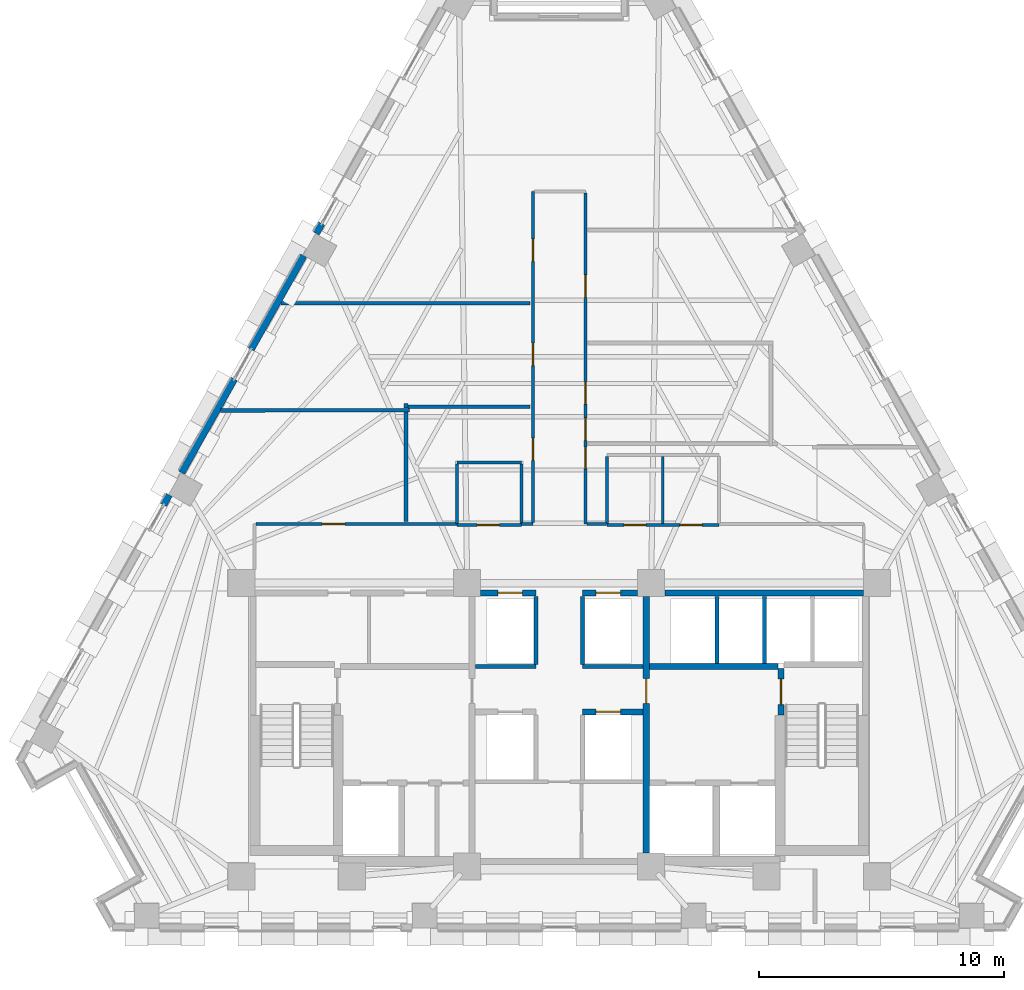
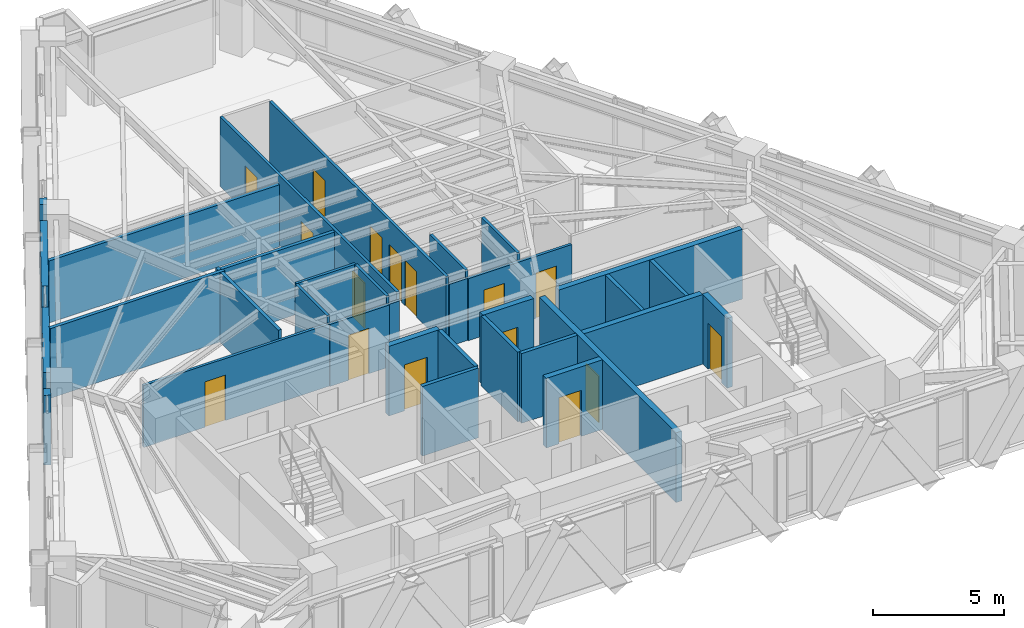
# One storey, part 8 of 13: 34 walls, 16 doors, 16 openings.
"""IFC4 building model written with IfcOpenShell, lengths in metres."""

import ifcopenshell
import ifcopenshell.guid

model = None  # the IFC model being written
_history = None  # IfcOwnerHistory: only IFC2X3 demands one
_inside = {}  # id of a spatial element -> (the spatial element, [elements in it])
_under = {}  # id of a project, library or spatial element -> (it, [spatial elements below it])
_declared = {}  # id of a project -> (the project, [libraries it declares])
_typed = {}  # id of a type object -> (the type object, [elements of that type])
_made_of = {}  # id of a material, layer set ... -> (it, [elements and type objects made of it])


def new_model(schema):
    """Start an empty IFC model of exactly this schema.

    Asked for "IFC4X3", IfcOpenShell would pick the latest addendum, in which some entities
    have other attributes; the version numbers below select the first issue.
    IFC2X3 requires an IfcOwnerHistory on every rooted entity: one is made here for all.
    """
    global model, _history
    if schema == "IFC4X3":
        model = ifcopenshell.file(schema_version=(4, 3, 0, 0))
    else:
        model = ifcopenshell.file(schema=schema)
    _inside.clear()
    _under.clear()
    _declared.clear()
    _typed.clear()
    _made_of.clear()
    _history = None
    if model.schema == "IFC2X3":
        org = make("IfcOrganization", Name="unknown")
        user = make(
            "IfcPersonAndOrganization",
            ThePerson=make("IfcPerson", FamilyName="unknown"),
            TheOrganization=org,
        )
        app = make(
            "IfcApplication",
            ApplicationDeveloper=org,
            Version="unknown",
            ApplicationFullName="unknown",
            ApplicationIdentifier="unknown",
        )
        _history = make(
            "IfcOwnerHistory",
            OwningUser=user,
            OwningApplication=app,
            ChangeAction="ADDED",
            CreationDate=0,
        )
    return model


def make(cls, **values):
    """One entity of the class cls with the attributes given. An attribute that is None is left unset."""
    return model.create_entity(
        cls, **{name: value for name, value in values.items() if value is not None}
    )


def rooted(cls, **values):
    """An entity with a GlobalId (a new one), such as an element, a storey or a relation."""
    return make(cls, GlobalId=ifcopenshell.guid.new(), OwnerHistory=_history, **values)


def si_unit(unit_type, name, prefix=None):
    """IfcSIUnit, for example si_unit("LENGTHUNIT", "METRE", prefix="MILLI")."""
    return make("IfcSIUnit", UnitType=unit_type, Prefix=prefix, Name=name)


def assignment(units):
    """IfcUnitAssignment: the units of a project."""
    return None if units is None else make("IfcUnitAssignment", Units=units)


def point(xyz):
    """IfcCartesianPoint."""
    return None if xyz is None else make("IfcCartesianPoint", Coordinates=xyz)


def direction(xyz):
    """IfcDirection."""
    return None if xyz is None else make("IfcDirection", DirectionRatios=xyz)


def frame(location, z_axis=None, x_axis=None):
    """IfcAxis2Placement3D, a coordinate frame: its origin and axes. An axis left out is left unset."""
    return make(
        "IfcAxis2Placement3D",
        Location=point(location),
        Axis=direction(z_axis),
        RefDirection=direction(x_axis),
    )


def frame_2d(location, x_axis=None):
    """IfcAxis2Placement2D, a coordinate frame in the plane: its origin and x axis."""
    return make(
        "IfcAxis2Placement2D", Location=point(location), RefDirection=direction(x_axis)
    )


def origin():
    """The frame at (0, 0, 0) with its axes left unset."""
    return frame((0.0, 0.0, 0.0))


def place(relative_to, where):
    """IfcLocalPlacement: puts the frame where relative to a parent placement (None: the world)."""
    return make(
        "IfcLocalPlacement", PlacementRelTo=relative_to, RelativePlacement=where
    )


def context(
    kind, dimensions, precision=None, world=None, true_north=None, identifier=None
):
    """IfcGeometricRepresentationContext, for example the 3D "Model" context."""
    return make(
        "IfcGeometricRepresentationContext",
        ContextIdentifier=identifier,
        ContextType=kind,
        CoordinateSpaceDimension=dimensions,
        Precision=precision,
        WorldCoordinateSystem=world,
        TrueNorth=true_north,
    )


def subcontext(parent, identifier, kind, view, scale=None):
    """IfcGeometricRepresentationSubContext, for example "Body" below "Model"."""
    return make(
        "IfcGeometricRepresentationSubContext",
        ContextIdentifier=identifier,
        ContextType=kind,
        ParentContext=parent,
        TargetScale=scale,
        TargetView=view,
    )


def project(units=None, contexts=None):
    """IfcProject with its units and contexts."""
    return rooted(
        "IfcProject",
        Name="project",
        RepresentationContexts=contexts,
        UnitsInContext=assignment(units),
    )


def spatial(cls, under=None, at=None, **own):
    """A site, building, storey or space (cls), placed at a placement, below another one or the project."""
    s = rooted(cls, ObjectPlacement=at, **own)
    if under is not None:
        _under.setdefault(under.id(), (under, []))[1].append(s)
    return s


def profile(cls, at=None, kind="AREA", **sizes):
    """A parametric profile (cls). Its sizes go by their IFC names, for example OverallWidth=200.0."""
    return make(cls, ProfileType=kind, Position=at, **sizes)


def rectangle(**sizes):
    """IfcRectangleProfileDef."""
    return profile("IfcRectangleProfileDef", **sizes)


def extrude(swept, where, along, depth):
    """IfcExtrudedAreaSolid: the profile swept, set in the frame where, extruded along a direction by depth."""
    return make(
        "IfcExtrudedAreaSolid",
        SweptArea=swept,
        Position=where,
        ExtrudedDirection=direction(along),
        Depth=depth,
    )


def shape(context_of_items, identifier, shape_type, items):
    """IfcShapeRepresentation: the items that make up one representation, for example the "Body"."""
    return make(
        "IfcShapeRepresentation",
        ContextOfItems=context_of_items,
        RepresentationIdentifier=identifier,
        RepresentationType=shape_type,
        Items=items,
    )


def material(Name=None, Category=None):
    """IfcMaterial."""
    return make("IfcMaterial", Name=Name, Category=Category)


def layer(
    of_material, thickness, ventilated=None, Name=None, Category=None, Priority=None
):
    """IfcMaterialLayer: one layer of a wall or slab, of a material (None: an air gap)."""
    return make(
        "IfcMaterialLayer",
        Material=of_material,
        LayerThickness=thickness,
        IsVentilated=ventilated,
        Name=Name,
        Category=Category,
        Priority=Priority,
    )


def layer_set(layers, Name=None):
    """IfcMaterialLayerSet."""
    return make("IfcMaterialLayerSet", MaterialLayers=layers, LayerSetName=Name)


def made_of(thing, what):
    """Note that an element or type object is made of a material, layer set ...; save() writes the relation."""
    if what is not None:
        _made_of.setdefault(what.id(), (what, []))[1].append(thing)
    return thing


def type_object(cls, material=None, **own):
    """A type object (cls), such as IfcWallType, which elements share."""
    return made_of(rooted(cls, **own), material)


def element(
    cls,
    number,
    at=None,
    inside=None,
    cuts=None,
    type_object=None,
    material=None,
    context=None,
    identifier="Body",
    shape_type=None,
    held_by="IfcProductDefinitionShape",
    body=None,
    shapes=None,
    **own,
):
    """One element of the class cls, such as IfcWall. Its Tag is "e" and its number.

    at: its placement. inside: the storey or other place that contains it. cuts: it is an
    opening in that element (IfcRelVoidsElement). A single representation is given by context,
    identifier, shape_type and body (its items); several are given by shapes. held_by: the class
    of the entity that holds the representations. save() writes the other relations.
    """
    e = rooted(cls, Tag="e%d" % number, ObjectPlacement=at, **own)
    if body is not None:
        shapes = [shape(context, identifier, shape_type, body)]
    if shapes is not None:
        e.Representation = make(held_by, Representations=shapes)
    if inside is not None:
        _inside.setdefault(inside.id(), (inside, []))[1].append(e)
    if cuts is not None:
        rooted(
            "IfcRelVoidsElement", RelatingBuildingElement=cuts, RelatedOpeningElement=e
        )
    if type_object is not None:
        _typed.setdefault(type_object.id(), (type_object, []))[1].append(e)
    return made_of(e, material)


def fill(opening, filler):
    """IfcRelFillsElement: the door or window that sits in an opening."""
    return rooted(
        "IfcRelFillsElement",
        RelatingOpeningElement=opening,
        RelatedBuildingElement=filler,
    )


def aggregate(whole, parts):
    """IfcRelAggregates: a whole, such as a stair, and the parts it consists of."""
    return rooted("IfcRelAggregates", RelatingObject=whole, RelatedObjects=parts)


def save(model, path):
    """Write the relations noted so far, then the file.

    IfcRelAggregates (storeys below a building ...), IfcRelContainedInSpatialStructure (elements
    in a storey), IfcRelDefinesByType, IfcRelAssociatesMaterial and IfcRelDeclares: one each for
    every whole, place, type object, material and project.
    """
    for whole, parts in _under.values():
        aggregate(whole, parts)
    for where, things in _inside.values():
        rooted(
            "IfcRelContainedInSpatialStructure",
            RelatedElements=things,
            RelatingStructure=where,
        )
    for kind, things in _typed.values():
        rooted("IfcRelDefinesByType", RelatedObjects=things, RelatingType=kind)
    for what, things in _made_of.values():
        rooted("IfcRelAssociatesMaterial", RelatedObjects=things, RelatingMaterial=what)
    for by, libraries in _declared.values():
        rooted("IfcRelDeclares", RelatingContext=by, RelatedDefinitions=libraries)
    model.write(path)


model = new_model("IFC4")

# Units and contexts
model_context = context("Model", 3, precision=1e-05, world=origin(), true_north=direction((0.0, 1.0)))
body_context = subcontext(model_context, "Body", "Model", "MODEL_VIEW")
ifc_project = project(units=[si_unit("LENGTHUNIT", "METRE"), si_unit("AREAUNIT", "SQUARE_METRE"), si_unit("VOLUMEUNIT", "CUBIC_METRE"), si_unit("PLANEANGLEUNIT", "RADIAN"), si_unit("MASSUNIT", "GRAM", prefix="KILO")], contexts=[model_context])

# Site, building, storey
site_placement = place(None, origin())
site = spatial("IfcSite", under=ifc_project, at=site_placement, CompositionType="ELEMENT")
building_placement = place(site_placement, origin())
building = spatial("IfcBuilding", under=site, at=building_placement, Name="Quenlor Broadcast Tower", CompositionType="ELEMENT")
storey_placement = place(building_placement, frame((0.0, 0.0, 137.0)))
storey = spatial("IfcBuildingStorey", under=building, at=storey_placement, Name="L37", CompositionType="ELEMENT", Elevation=137.0)

# Walls
ifc_material_1 = material(Name="Acoustic Double Stud Gypsum Partition", Category="other")
ifc_layer_1 = layer(ifc_material_1, 0.14990234375)
ifc_layer_set_1 = layer_set([ifc_layer_1], Name="Broadcast Studio Acoustic Partition 150")
wall_type_1 = type_object("IfcWallType", Name="Broadcast Studio Acoustic Partition 150", PredefinedType="PARTITIONING", material=ifc_layer_set_1)
wall_1_placement = place(storey_placement, frame((-1.179931640625, 6.605224609375, 0.0), z_axis=(0.0, 0.0, 1.0), x_axis=(-1.0, 0.0, 0.0)))
element("IfcWall", 1, at=wall_1_placement, inside=storey, type_object=wall_type_1, Name="L37 Interior Wall PW-DV-02", PredefinedType="PARTITIONING", context=body_context, shape_type="SweptSolid", body=[
    extrude(rectangle(XDim=10.1533203125, YDim=0.14990234375, at=frame_2d((5.07666015625, 0.0))), origin(), (0.0, 0.0, 1.0), 2.891357421875),
])
wall_2_placement = place(storey_placement, frame((-1.179931640625, 2.3798828125, 0.0), z_axis=(0.0, 0.0, 1.0), x_axis=(-1.0, 0.0, 0.0)))
element("IfcWall", 2, at=wall_2_placement, inside=storey, type_object=wall_type_1, Name="L37 Interior Wall PW-DV-06", PredefinedType="PARTITIONING", context=body_context, shape_type="SweptSolid", body=[
    extrude(rectangle(XDim=4.984619140625, YDim=0.14990234375, at=frame_2d((2.4921875, 0.0))), origin(), (0.0, 0.0, 1.0), 3.25),
])
wall_3_placement = place(storey_placement, frame((-6.10009765625, 2.24462890625, 0.0), z_axis=(0.0, 0.0, 1.0), x_axis=(-0.999998126996, -0.001935459776, 0.0)))
element("IfcWall", 3, at=wall_3_placement, inside=storey, type_object=wall_type_1, Name="L37 Interior Wall PW-DV-07", PredefinedType="PARTITIONING", context=body_context, shape_type="SweptSolid", body=[
    extrude(rectangle(XDim=7.694580078125, YDim=0.14990234375, at=frame_2d((3.84716796875, 0.0))), origin(), (0.0, 0.0, 1.0), 3.25),
])
wall_4_placement = place(storey_placement, frame((-6.239990234375, -2.2900390625, 0.0), z_axis=(0.0, 0.0, 1.0), x_axis=(0.0, 1.0, 0.0)))
element("IfcWall", 4, at=wall_4_placement, inside=storey, type_object=wall_type_1, Name="L37 Interior Wall PW-DV-09", PredefinedType="PARTITIONING", context=body_context, shape_type="SweptSolid", body=[
    extrude(rectangle(XDim=4.45751953125, YDim=0.14990234375, at=frame_2d((2.228759765625, 0.0))), origin(), (0.0, 0.0, 1.0), 3.25),
])
wall_5_placement = place(storey_placement, frame((-6.239990234375, 2.3212890625, 0.0), z_axis=(0.0, 0.0, 1.0), x_axis=(0.0, 1.0, 0.0)))
element("IfcWall", 5, at=wall_5_placement, inside=storey, type_object=wall_type_1, Name="L37 Interior Wall PW-DV-09S2", PredefinedType="PARTITIONING", context=body_context, shape_type="SweptSolid", body=[
    extrude(rectangle(XDim=0.19873046875, YDim=0.14990234375, at=frame_2d((0.099365234375, 0.0))), origin(), (0.0, 0.0, 1.0), 3.25),
])

# Wall, opening, door
ifc_material_2 = material(Name="Concrete C40/50", Category="concrete")
ifc_layer_2 = layer(ifc_material_2, 0.25)
ifc_layer_set_2 = layer_set([ifc_layer_2], Name="Fire Rated Concrete C40/50 Core Wall 250")
wall_type_2 = type_object("IfcWallType", Name="Fire Rated Concrete C40/50 Core Wall 250", PredefinedType="PARTITIONING", material=ifc_layer_set_2)
wall_6_placement = place(storey_placement, frame((9.0400390625, -10.179931640625, 0.0), z_axis=(0.0, 0.0, 1.0), x_axis=(0.0, 1.0, 0.0)))
wall_6 = element("IfcWall", 6, at=wall_6_placement, inside=storey, type_object=wall_type_2, Name="L37 Interior Wall CW-ST2-DR", PredefinedType="PARTITIONING", context=body_context, shape_type="SweptSolid", body=[
    extrude(rectangle(XDim=1.89990234375, YDim=0.25, at=frame_2d((0.949951171875, 0.0))), origin(), (0.0, 0.0, 1.0), 3.25),
])
opening_1_placement = place(wall_6_placement, frame((0.419921875, 0.0, 0.0)))
opening_1 = element("IfcOpeningElement", 7, at=opening_1_placement, cuts=wall_6, Name="Opening FD-1", PredefinedType="OPENING", context=body_context, shape_type="SweptSolid", body=[
    extrude(rectangle(XDim=1.050048828125, YDim=2.14990234375, at=frame_2d((0.52490234375, 1.074951171875))), frame((0.0, 0.135009765625, 0.0), z_axis=(0.0, -1.0, 0.0), x_axis=(1.0, 0.0, 0.0)), (0.0, 0.0, 1.0), 0.27001953125),
])
ifc_material_3 = material(Name="Fire Rated Steel Door Leaf", Category="steel")
door_type_1 = type_object("IfcDoorType", Name="Fire Isolated Stair Door 1050x2150", OperationType="NOTDEFINED", PredefinedType="DOOR", material=ifc_material_3)
door_1_placement = place(opening_1_placement, origin())
door_1 = element("IfcDoor", 8, at=door_1_placement, inside=storey, type_object=door_type_1, Name="L37 Door DR-ST2", OperationType="SINGLE_SWING_RIGHT", OverallHeight=2.14990234375, OverallWidth=1.050048828125, PredefinedType="DOOR", context=body_context, shape_type="SweptSolid", body=[
    extrude(rectangle(XDim=1.050048828125, YDim=2.14990234375, at=frame_2d((0.52490234375, 1.074951171875))), frame((0.0, 0.02490234375, 0.0), z_axis=(0.0, -1.0, 0.0), x_axis=(1.0, 0.0, 0.0)), (0.0, 0.0, 1.0), 0.050048828125),
])
fill(opening_1, door_1)

# Wall
wall_7_placement = place(storey_placement, frame((3.679931640625, -8.199951171875, 0.0), z_axis=(0.0, 0.0, 1.0), x_axis=(1.0, 0.0, 0.0)))
element("IfcWall", 9, at=wall_7_placement, inside=storey, type_object=wall_type_2, Name="L37 Interior Wall CW-FFE-N", PredefinedType="PARTITIONING", context=body_context, shape_type="SweptSolid", body=[
    extrude(rectangle(XDim=5.239990234375, YDim=0.25, at=frame_2d((2.6201171875, 0.0))), origin(), (0.0, 0.0, 1.0), 3.25),
])

# Wall, opening, door
wall_8_placement = place(storey_placement, frame((3.550048828125, -15.798095703125, 0.0), z_axis=(0.0, 0.0, 1.0), x_axis=(0.0, 1.0, 0.0)))
wall_8 = element("IfcWall", 10, at=wall_8_placement, inside=storey, type_object=wall_type_2, Name="L37 Interior Wall CW-FFE-W", PredefinedType="PARTITIONING", context=body_context, shape_type="SweptSolid", body=[
    extrude(rectangle(XDim=10.446044921875, YDim=0.25, at=frame_2d((5.22314453125, 0.0))), origin(), (0.0, 0.0, 1.0), 3.25),
])
opening_2_placement = place(wall_8_placement, frame((6.097900390625, 0.0, 0.0)))
opening_2 = element("IfcOpeningElement", 11, at=opening_2_placement, cuts=wall_8, Name="Opening FD-2", PredefinedType="OPENING", context=body_context, shape_type="SweptSolid", body=[
    extrude(rectangle(XDim=1.0, YDim=2.14990234375, at=frame_2d((0.5, 1.074951171875))), frame((0.0, 0.135009765625, 0.0), z_axis=(0.0, -1.0, 0.0), x_axis=(1.0, 0.0, 0.0)), (0.0, 0.0, 1.0), 0.27001953125),
])
ifc_material_4 = material(Name="Fire Rated Glazed Steel Door", Category="steel")
door_type_2 = type_object("IfcDoorType", Name="Firefighting Lobby Smoke Door 1000x2150", OperationType="NOTDEFINED", PredefinedType="DOOR", material=ifc_material_4)
door_2_placement = place(opening_2_placement, origin())
door_2 = element("IfcDoor", 12, at=door_2_placement, inside=storey, type_object=door_type_2, Name="L37 Door DR-FFLE", OperationType="SINGLE_SWING_LEFT", OverallHeight=2.14990234375, OverallWidth=1.0, PredefinedType="DOOR", context=body_context, shape_type="SweptSolid", body=[
    extrude(rectangle(XDim=1.0, YDim=2.14990234375, at=frame_2d((0.5, 1.074951171875))), frame((0.0, 0.02490234375, 0.0), z_axis=(0.0, -1.0, 0.0), x_axis=(1.0, 0.0, 0.0)), (0.0, 0.0, 1.0), 0.050048828125),
])
fill(opening_2, door_2)

# Wall
wall_9_placement = place(storey_placement, frame((4.302001953125, -5.199951171875, 0.0), z_axis=(0.0, 0.0, 1.0), x_axis=(1.0, 0.0, 0.0)))
element("IfcWall", 13, at=wall_9_placement, inside=storey, type_object=wall_type_2, Name="L37 Interior Wall CW-N-E", PredefinedType="PARTITIONING", context=body_context, shape_type="SweptSolid", body=[
    extrude(rectangle(XDim=8.095947265625, YDim=0.25, at=frame_2d((4.0478515625, 0.0))), origin(), (0.0, 0.0, 1.0), 3.25),
])

# Wall, opening, door
wall_10_placement = place(storey_placement, frame((-3.197998046875, -5.199951171875, 0.0), z_axis=(0.0, 0.0, 1.0), x_axis=(1.0, 0.0, 0.0)))
wall_10 = element("IfcWall", 14, at=wall_10_placement, inside=storey, type_object=wall_type_2, Name="L37 Interior Wall CW-N-M1", PredefinedType="PARTITIONING", context=body_context, shape_type="SweptSolid", body=[
    extrude(rectangle(XDim=2.248046875, YDim=0.25, at=frame_2d((1.1240234375, 0.0))), origin(), (0.0, 0.0, 1.0), 3.25),
])
opening_3_placement = place(wall_10_placement, frame((0.697998046875, 0.0, 0.0)))
opening_3 = element("IfcOpeningElement", 15, at=opening_3_placement, cuts=wall_10, Name="Opening LD-PL-M1", PredefinedType="OPENING", context=body_context, shape_type="SweptSolid", body=[
    extrude(rectangle(XDim=1.0, YDim=2.14990234375, at=frame_2d((0.5, 1.074951171875))), frame((0.0, 0.135009765625, 0.0), z_axis=(0.0, -1.0, 0.0), x_axis=(1.0, 0.0, 0.0)), (0.0, 0.0, 1.0), 0.27001953125),
])
ifc_material_5 = material(Name="Brushed Stainless Steel", Category="steel")
door_type_3 = type_object("IfcDoorType", Name="Passenger Lift Sliding Landing Door 1000x2150", OperationType="NOTDEFINED", PredefinedType="DOOR", material=ifc_material_5)
door_3_placement = place(opening_3_placement, origin())
door_3 = element("IfcDoor", 16, at=door_3_placement, inside=storey, type_object=door_type_3, Name="L37 Door LD-PL-M1", OperationType="SLIDING_TO_LEFT", OverallHeight=2.14990234375, OverallWidth=1.0, PredefinedType="DOOR", context=body_context, shape_type="SweptSolid", body=[
    extrude(rectangle(XDim=1.0, YDim=2.14990234375, at=frame_2d((0.5, 1.074951171875))), frame((0.0, 0.02490234375, 0.0), z_axis=(0.0, -1.0, 0.0), x_axis=(1.0, 0.0, 0.0)), (0.0, 0.0, 1.0), 0.050048828125),
])
fill(opening_3, door_3)

wall_11_placement = place(storey_placement, frame((0.949951171875, -5.199951171875, 0.0), z_axis=(0.0, 0.0, 1.0), x_axis=(1.0, 0.0, 0.0)))
wall_11 = element("IfcWall", 17, at=wall_11_placement, inside=storey, type_object=wall_type_2, Name="L37 Interior Wall CW-N-M2", PredefinedType="PARTITIONING", context=body_context, shape_type="SweptSolid", body=[
    extrude(rectangle(XDim=2.248046875, YDim=0.25, at=frame_2d((1.1240234375, 0.0))), origin(), (0.0, 0.0, 1.0), 3.25),
])
opening_4_placement = place(wall_11_placement, frame((0.550048828125, 0.0, 0.0)))
opening_4 = element("IfcOpeningElement", 18, at=opening_4_placement, cuts=wall_11, Name="Opening LD-PL-M2", PredefinedType="OPENING", context=body_context, shape_type="SweptSolid", body=[
    extrude(rectangle(XDim=1.0, YDim=2.14990234375, at=frame_2d((0.5, 1.074951171875))), frame((0.0, 0.135009765625, 0.0), z_axis=(0.0, -1.0, 0.0), x_axis=(1.0, 0.0, 0.0)), (0.0, 0.0, 1.0), 0.27001953125),
])
door_4_placement = place(opening_4_placement, origin())
door_4 = element("IfcDoor", 19, at=door_4_placement, inside=storey, type_object=door_type_3, Name="L37 Door LD-PL-M2", OperationType="SLIDING_TO_RIGHT", OverallHeight=2.14990234375, OverallWidth=1.0, PredefinedType="DOOR", context=body_context, shape_type="SweptSolid", body=[
    extrude(rectangle(XDim=1.0, YDim=2.14990234375, at=frame_2d((0.5, 1.074951171875))), frame((0.0, 0.02490234375, 0.0), z_axis=(0.0, -1.0, 0.0), x_axis=(1.0, 0.0, 0.0)), (0.0, 0.0, 1.0), 0.050048828125),
])
fill(opening_4, door_4)

wall_12_placement = place(storey_placement, frame((0.949951171875, -10.050048828125, 0.0), z_axis=(0.0, 0.0, 1.0), x_axis=(1.0, 0.0, 0.0)))
wall_12 = element("IfcWall", 20, at=wall_12_placement, inside=storey, type_object=wall_type_2, Name="L37 Interior Wall CW-MS-N2", PredefinedType="PARTITIONING", context=body_context, shape_type="SweptSolid", body=[
    extrude(rectangle(XDim=2.469970703125, YDim=0.25, at=frame_2d((1.23486328125, 0.0))), origin(), (0.0, 0.0, 1.0), 3.25),
])
opening_5_placement = place(wall_12_placement, frame((0.550048828125, 0.0, 0.0)))
opening_5 = element("IfcOpeningElement", 21, at=opening_5_placement, cuts=wall_12, Name="Opening LD-PL-M4", PredefinedType="OPENING", context=body_context, shape_type="SweptSolid", body=[
    extrude(rectangle(XDim=1.0, YDim=2.14990234375, at=frame_2d((0.5, 1.074951171875))), frame((0.0, 0.135009765625, 0.0), z_axis=(0.0, -1.0, 0.0), x_axis=(1.0, 0.0, 0.0)), (0.0, 0.0, 1.0), 0.27001953125),
])
door_5_placement = place(opening_5_placement, origin())
door_5 = element("IfcDoor", 22, at=door_5_placement, inside=storey, type_object=door_type_3, Name="L37 Door LD-PL-M4", OperationType="SLIDING_TO_RIGHT", OverallHeight=2.14990234375, OverallWidth=1.0, PredefinedType="DOOR", context=body_context, shape_type="SweptSolid", body=[
    extrude(rectangle(XDim=1.0, YDim=2.14990234375, at=frame_2d((0.5, 1.074951171875))), frame((0.0, 0.02490234375, 0.0), z_axis=(0.0, -1.0, 0.0), x_axis=(1.0, 0.0, 0.0)), (0.0, 0.0, 1.0), 0.050048828125),
])
fill(opening_5, door_5)

# Walls
ifc_material_6 = material(Name="Gypsum Fireboard Partition", Category="other")
ifc_layer_3 = layer(ifc_material_6, 0.159912109375)
ifc_layer_set_3 = layer_set([ifc_layer_3], Name="Fire Rated Shaft and Corridor Partition 160")
wall_type_3 = type_object("IfcWallType", Name="Fire Rated Shaft and Corridor Partition 160", PredefinedType="PARTITIONING", material=ifc_layer_set_3)
for number, where, z_axis, x_axis, name in (
    (23, (6.425048828125, -8.072998046875, 0.0), (0.0, 0.0, 1.0), (0.0, 1.0, 0.0), "L37 Interior Wall CW-PLH-D1"),
    (24, (8.375, -8.072998046875, 0.0), (0.0, 0.0, 1.0), (0.0, 1.0, 0.0), "L37 Interior Wall CW-PLH-D2"),
):
    element("IfcWall", number, at=place(storey_placement, frame(where, z_axis=z_axis, x_axis=x_axis)), inside=storey, type_object=wall_type_3, Name=name, PredefinedType="PARTITIONING", context=body_context, shape_type="SweptSolid", body=[
        extrude(rectangle(XDim=2.73291015625, YDim=0.159912109375, at=frame_2d((1.366455078125, 0.0))), origin(), (0.0, 0.0, 1.0), 3.25),
    ])
for number, where, z_axis, x_axis, name in (
    (25, (-0.949951171875, -8.1201171875, 0.0), (0.0, 0.0, 1.0), (0.0, 1.0, 0.0), "L37 Interior Wall CW-CCRP-W"),
    (26, (0.949951171875, -8.1201171875, 0.0), (0.0, 0.0, 1.0), (0.0, 1.0, 0.0), "L37 Interior Wall CW-CCRP-E"),
):
    element("IfcWall", number, at=place(storey_placement, frame(where, z_axis=z_axis, x_axis=x_axis)), inside=storey, type_object=wall_type_3, Name=name, PredefinedType="PARTITIONING", context=body_context, shape_type="SweptSolid", body=[
        extrude(rectangle(XDim=2.780029296875, YDim=0.159912109375, at=frame_2d((1.39013671875, 0.0))), origin(), (0.0, 0.0, 1.0), 3.25),
    ])
for number, where, z_axis, x_axis, name in (
    (27, (-3.419921875, -8.199951171875, 0.0), (0.0, 0.0, 1.0), (1.0, 0.0, 0.0), "L37 Interior Wall CW-M-BACK1"),
    (28, (0.949951171875, -8.199951171875, 0.0), (0.0, 0.0, 1.0), (1.0, 0.0, 0.0), "L37 Interior Wall CW-M-BACK2"),
):
    element("IfcWall", number, at=place(storey_placement, frame(where, z_axis=z_axis, x_axis=x_axis)), inside=storey, type_object=wall_type_3, Name=name, PredefinedType="PARTITIONING", context=body_context, shape_type="SweptSolid", body=[
        extrude(rectangle(XDim=2.469970703125, YDim=0.159912109375, at=frame_2d((1.23486328125, 0.0))), origin(), (0.0, 0.0, 1.0), 3.25),
    ])

# Wall, opening, door
ifc_material_7 = material(Name="Gypsum Plasterboard Partition", Category="other")
ifc_layer_4 = layer(ifc_material_7, 0.1201171875)
ifc_layer_set_4 = layer_set([ifc_layer_4], Name="Standard Office Partition 120")
wall_type_4 = type_object("IfcWallType", Name="Standard Office Partition 120", PredefinedType="PARTITIONING", material=ifc_layer_set_4)
wall_13_placement = place(storey_placement, frame((-4.159912109375, -2.43994140625, 0.0), z_axis=(0.0, 0.0, 1.0), x_axis=(1.0, 0.0, 0.0)))
wall_13 = element("IfcWall", 29, at=wall_13_placement, inside=storey, type_object=wall_type_4, Name="L37 Interior Wall PW-AWC-S", PredefinedType="PARTITIONING", context=body_context, shape_type="SweptSolid", body=[
    extrude(rectangle(XDim=2.619873046875, YDim=0.1201171875, at=frame_2d((1.31005859375, 0.0))), origin(), (0.0, 0.0, 1.0), 2.891357421875),
])
opening_6_placement = place(wall_13_placement, frame((0.820068359375, 0.0, 0.0)))
opening_6 = element("IfcOpeningElement", 30, at=opening_6_placement, cuts=wall_13, Name="Opening ID-3", PredefinedType="OPENING", context=body_context, shape_type="SweptSolid", body=[
    extrude(rectangle(XDim=0.89990234375, YDim=2.1201171875, at=frame_2d((0.449951171875, 1.06005859375))), frame((0.0, 0.070068359375, 0.0), z_axis=(0.0, -1.0, 0.0), x_axis=(1.0, 0.0, 0.0)), (0.0, 0.0, 1.0), 0.14013671875),
])
ifc_material_8 = material(Name="Moisture Resistant Timber Oak", Category="wood")
door_type_4 = type_object("IfcDoorType", Name="Washroom Privacy Door 900x2120", OperationType="NOTDEFINED", PredefinedType="DOOR", material=ifc_material_8)
door_6_placement = place(opening_6_placement, origin())
door_6 = element("IfcDoor", 31, at=door_6_placement, inside=storey, type_object=door_type_4, Name="L37 Door DR-AWC", OperationType="SINGLE_SWING_LEFT", OverallHeight=2.1201171875, OverallWidth=0.89990234375, PredefinedType="DOOR", context=body_context, shape_type="SweptSolid", body=[
    extrude(rectangle(XDim=0.89990234375, YDim=2.1201171875, at=frame_2d((0.449951171875, 1.06005859375))), frame((0.0, 0.02490234375, 0.0), z_axis=(0.0, -1.0, 0.0), x_axis=(1.0, 0.0, 0.0)), (0.0, 0.0, 1.0), 0.050048828125),
])
fill(opening_6, door_6)

# Walls
wall_14_placement = place(storey_placement, frame((-4.159912109375, 0.110107421875, 0.0), z_axis=(0.0, 0.0, 1.0), x_axis=(1.0, 0.0, 0.0)))
element("IfcWall", 32, at=wall_14_placement, inside=storey, type_object=wall_type_4, Name="L37 Interior Wall PW-AWC-N", PredefinedType="PARTITIONING", context=body_context, shape_type="SweptSolid", body=[
    extrude(rectangle(XDim=2.619873046875, YDim=0.1201171875, at=frame_2d((1.31005859375, 0.0))), origin(), (0.0, 0.0, 1.0), 3.25),
])
for number, where, z_axis, x_axis, name in (
    (33, (-4.159912109375, -2.3779296875, 0.0), (0.0, 0.0, 1.0), (0.0, 1.0, 0.0), "L37 Interior Wall PW-AWC-W"),
    (34, (-1.5400390625, -2.3779296875, 0.0), (0.0, 0.0, 1.0), (0.0, 1.0, 0.0), "L37 Interior Wall PW-AWC-E"),
):
    element("IfcWall", number, at=place(storey_placement, frame(where, z_axis=z_axis, x_axis=x_axis)), inside=storey, type_object=wall_type_4, Name=name, PredefinedType="PARTITIONING", context=body_context, shape_type="SweptSolid", body=[
        extrude(rectangle(XDim=2.426025390625, YDim=0.1201171875, at=frame_2d((1.212890625, 0.0))), origin(), (0.0, 0.0, 1.0), 3.25),
    ])

# Wall, openings, doors
wall_15_placement = place(storey_placement, frame((1.93994140625, -2.43994140625, 0.0), z_axis=(0.0, 0.0, 1.0), x_axis=(1.0, 0.0, 0.0)))
wall_15 = element("IfcWall", 35, at=wall_15_placement, inside=storey, type_object=wall_type_4, Name="L37 Interior Wall PW-WC-S", PredefinedType="PARTITIONING", context=body_context, shape_type="SweptSolid", body=[
    extrude(rectangle(XDim=4.570068359375, YDim=0.1201171875, at=frame_2d((2.28515625, 0.0))), origin(), (0.0, 0.0, 1.0), 2.891357421875),
])
opening_7_placement = place(wall_15_placement, frame((0.699951171875, 0.0, 0.0)))
opening_7 = element("IfcOpeningElement", 36, at=opening_7_placement, cuts=wall_15, Name="Opening ID-3", PredefinedType="OPENING", context=body_context, shape_type="SweptSolid", body=[
    extrude(rectangle(XDim=0.89990234375, YDim=2.1201171875, at=frame_2d((0.449951171875, 1.06005859375))), frame((0.0, 0.070068359375, 0.0), z_axis=(0.0, -1.0, 0.0), x_axis=(1.0, 0.0, 0.0)), (0.0, 0.0, 1.0), 0.14013671875),
])
opening_8_placement = place(wall_15_placement, frame((2.97998046875, 0.0, 0.0)))
opening_8 = element("IfcOpeningElement", 37, at=opening_8_placement, cuts=wall_15, Name="Opening ID-3", PredefinedType="OPENING", context=body_context, shape_type="SweptSolid", body=[
    extrude(rectangle(XDim=0.89990234375, YDim=2.1201171875, at=frame_2d((0.449951171875, 1.06005859375))), frame((0.0, 0.070068359375, 0.0), z_axis=(0.0, -1.0, 0.0), x_axis=(1.0, 0.0, 0.0)), (0.0, 0.0, 1.0), 0.14013671875),
])
door_7_placement = place(opening_7_placement, origin())
door_7 = element("IfcDoor", 38, at=door_7_placement, inside=storey, type_object=door_type_4, Name="L37 Door DR-MWC", OperationType="SINGLE_SWING_LEFT", OverallHeight=2.1201171875, OverallWidth=0.89990234375, PredefinedType="DOOR", context=body_context, shape_type="SweptSolid", body=[
    extrude(rectangle(XDim=0.89990234375, YDim=2.1201171875, at=frame_2d((0.449951171875, 1.06005859375))), frame((0.0, 0.02490234375, 0.0), z_axis=(0.0, -1.0, 0.0), x_axis=(1.0, 0.0, 0.0)), (0.0, 0.0, 1.0), 0.050048828125),
])
fill(opening_7, door_7)
door_8_placement = place(opening_8_placement, origin())
door_8 = element("IfcDoor", 39, at=door_8_placement, inside=storey, type_object=door_type_4, Name="L37 Door DR-FWC", OperationType="SINGLE_SWING_RIGHT", OverallHeight=2.1201171875, OverallWidth=0.89990234375, PredefinedType="DOOR", context=body_context, shape_type="SweptSolid", body=[
    extrude(rectangle(XDim=0.89990234375, YDim=2.1201171875, at=frame_2d((0.449951171875, 1.06005859375))), frame((0.0, 0.02490234375, 0.0), z_axis=(0.0, -1.0, 0.0), x_axis=(1.0, 0.0, 0.0)), (0.0, 0.0, 1.0), 0.050048828125),
])
fill(opening_8, door_8)

# Walls
for number, where, z_axis, x_axis, name in (
    (40, (1.93994140625, -2.3779296875, 0.0), (0.0, 0.0, 1.0), (0.0, 1.0, 0.0), "L37 Interior Wall PW-WC-W"),
    (41, (4.219970703125, -2.3779296875, 0.0), (0.0, 0.0, 1.0), (0.0, 1.0, 0.0), "L37 Interior Wall PW-WC-M"),
):
    element("IfcWall", number, at=place(storey_placement, frame(where, z_axis=z_axis, x_axis=x_axis)), inside=storey, type_object=wall_type_4, Name=name, PredefinedType="PARTITIONING", context=body_context, shape_type="SweptSolid", body=[
        extrude(rectangle(XDim=2.725830078125, YDim=0.1201171875, at=frame_2d((1.36279296875, 0.0))), origin(), (0.0, 0.0, 1.0), 3.25),
    ])

# Wall, opening, door
wall_16_placement = place(storey_placement, frame((-12.347900390625, -2.39990234375, 0.0), z_axis=(0.0, 0.0, 1.0), x_axis=(1.0, 0.0, 0.0)))
wall_16 = element("IfcWall", 42, at=wall_16_placement, inside=storey, type_object=wall_type_4, Name="L37 Interior Wall PW-CR-02", PredefinedType="PARTITIONING", context=body_context, shape_type="SweptSolid", body=[
    extrude(rectangle(XDim=8.185791015625, YDim=0.1201171875, at=frame_2d((4.0927734375, 0.0))), origin(), (0.0, 0.0, 1.0), 2.891357421875),
])
opening_9_placement = place(wall_16_placement, frame((2.69189453125, 0.0, 0.0)))
opening_9 = element("IfcOpeningElement", 43, at=opening_9_placement, cuts=wall_16, Name="Opening ID-1", PredefinedType="OPENING", context=body_context, shape_type="SweptSolid", body=[
    extrude(rectangle(XDim=0.919921875, YDim=2.1201171875, at=frame_2d((0.4599609375, 1.06005859375))), frame((0.0, 0.070068359375, 0.0), z_axis=(0.0, -1.0, 0.0), x_axis=(1.0, 0.0, 0.0)), (0.0, 0.0, 1.0), 0.14013671875),
])
ifc_material_9 = material(Name="Solid Core Timber Oak", Category="wood")
door_type_5 = type_object("IfcDoorType", Name="Single Leaf Timber Office Door 920x2120", OperationType="NOTDEFINED", PredefinedType="DOOR", material=ifc_material_9)
door_9_placement = place(opening_9_placement, origin())
door_9 = element("IfcDoor", 44, at=door_9_placement, inside=storey, type_object=door_type_5, Name="L37 Door DR-RM08", OperationType="SINGLE_SWING_RIGHT", OverallHeight=2.1201171875, OverallWidth=0.919921875, PredefinedType="DOOR", context=body_context, shape_type="SweptSolid", body=[
    extrude(rectangle(XDim=0.919921875, YDim=2.1201171875, at=frame_2d((0.4599609375, 1.06005859375))), frame((0.0, 0.02490234375, 0.0), z_axis=(0.0, -1.0, 0.0), x_axis=(1.0, 0.0, 0.0)), (0.0, 0.0, 1.0), 0.050048828125),
])
fill(opening_9, door_9)

# Wall
wall_17_placement = place(storey_placement, frame((-1.5380859375, -2.39990234375, 0.0), z_axis=(0.0, 0.0, 1.0), x_axis=(1.0, 0.0, 0.0)))
element("IfcWall", 45, at=wall_17_placement, inside=storey, type_object=wall_type_4, Name="L37 Interior Wall PW-CR-02S2", PredefinedType="PARTITIONING", context=body_context, shape_type="SweptSolid", body=[
    extrude(rectangle(XDim=0.468017578125, YDim=0.1201171875, at=frame_2d((0.23388671875, 0.0))), origin(), (0.0, 0.0, 1.0), 2.891357421875),
])

# Wall, openings, doors
wall_18_placement = place(storey_placement, frame((-1.070068359375, -2.337890625, 0.0), z_axis=(0.0, 0.0, 1.0), x_axis=(0.0, 1.0, 0.0)))
wall_18 = element("IfcWall", 46, at=wall_18_placement, inside=storey, type_object=wall_type_4, Name="L37 Interior Wall PW-CR-03", PredefinedType="PARTITIONING", context=body_context, shape_type="SweptSolid", body=[
    extrude(rectangle(XDim=13.48779296875, YDim=0.1201171875, at=frame_2d((6.743896484375, 0.0))), origin(), (0.0, 0.0, 1.0), 3.25),
])
opening_10_placement = place(wall_18_placement, frame((10.64599609375, 0.0, 0.0)))
opening_10 = element("IfcOpeningElement", 47, at=opening_10_placement, cuts=wall_18, Name="Opening ID-1", PredefinedType="OPENING", context=body_context, shape_type="SweptSolid", body=[
    extrude(rectangle(XDim=0.919921875, YDim=2.1201171875, at=frame_2d((0.4599609375, 1.06005859375))), frame((0.0, 0.070068359375, 0.0), z_axis=(0.0, -1.0, 0.0), x_axis=(1.0, 0.0, 0.0)), (0.0, 0.0, 1.0), 0.14013671875),
])
opening_11_placement = place(wall_18_placement, frame((6.39111328125, 0.0, 0.0)))
opening_11 = element("IfcOpeningElement", 48, at=opening_11_placement, cuts=wall_18, Name="Opening ID-1", PredefinedType="OPENING", context=body_context, shape_type="SweptSolid", body=[
    extrude(rectangle(XDim=0.919921875, YDim=2.1201171875, at=frame_2d((0.4599609375, 1.06005859375))), frame((0.0, 0.070068359375, 0.0), z_axis=(0.0, -1.0, 0.0), x_axis=(1.0, 0.0, 0.0)), (0.0, 0.0, 1.0), 0.14013671875),
])
opening_12_placement = place(wall_18_placement, frame((2.537109375, 0.0, 0.0)))
opening_12 = element("IfcOpeningElement", 49, at=opening_12_placement, cuts=wall_18, Name="Opening ID-1", PredefinedType="OPENING", context=body_context, shape_type="SweptSolid", body=[
    extrude(rectangle(XDim=0.919921875, YDim=2.1201171875, at=frame_2d((0.4599609375, 1.06005859375))), frame((0.0, 0.070068359375, 0.0), z_axis=(0.0, -1.0, 0.0), x_axis=(1.0, 0.0, 0.0)), (0.0, 0.0, 1.0), 0.14013671875),
])
door_10_placement = place(opening_10_placement, origin())
door_10 = element("IfcDoor", 50, at=door_10_placement, inside=storey, type_object=door_type_5, Name="L37 Door DR-RM01", OperationType="SINGLE_SWING_LEFT", OverallHeight=2.1201171875, OverallWidth=0.919921875, PredefinedType="DOOR", context=body_context, shape_type="SweptSolid", body=[
    extrude(rectangle(XDim=0.919921875, YDim=2.1201171875, at=frame_2d((0.4599609375, 1.06005859375))), frame((0.0, 0.02490234375, 0.0), z_axis=(0.0, -1.0, 0.0), x_axis=(1.0, 0.0, 0.0)), (0.0, 0.0, 1.0), 0.050048828125),
])
fill(opening_10, door_10)
door_11_placement = place(opening_11_placement, origin())
door_11 = element("IfcDoor", 51, at=door_11_placement, inside=storey, type_object=door_type_5, Name="L37 Door DR-RM03", OperationType="SINGLE_SWING_LEFT", OverallHeight=2.1201171875, OverallWidth=0.919921875, PredefinedType="DOOR", context=body_context, shape_type="SweptSolid", body=[
    extrude(rectangle(XDim=0.919921875, YDim=2.1201171875, at=frame_2d((0.4599609375, 1.06005859375))), frame((0.0, 0.02490234375, 0.0), z_axis=(0.0, -1.0, 0.0), x_axis=(1.0, 0.0, 0.0)), (0.0, 0.0, 1.0), 0.050048828125),
])
fill(opening_11, door_11)
door_12_placement = place(opening_12_placement, origin())
door_12 = element("IfcDoor", 52, at=door_12_placement, inside=storey, type_object=door_type_5, Name="L37 Door DR-RM05", OperationType="SINGLE_SWING_LEFT", OverallHeight=2.1201171875, OverallWidth=0.919921875, PredefinedType="DOOR", context=body_context, shape_type="SweptSolid", body=[
    extrude(rectangle(XDim=0.919921875, YDim=2.1201171875, at=frame_2d((0.4599609375, 1.06005859375))), frame((0.0, 0.02490234375, 0.0), z_axis=(0.0, -1.0, 0.0), x_axis=(1.0, 0.0, 0.0)), (0.0, 0.0, 1.0), 0.050048828125),
])
fill(opening_12, door_12)

wall_19_placement = place(storey_placement, frame((1.070068359375, 11.087890625, 0.0), z_axis=(0.0, 0.0, 1.0), x_axis=(0.0, -1.0, 0.0)))
wall_19 = element("IfcWall", 53, at=wall_19_placement, inside=storey, type_object=wall_type_4, Name="L37 Interior Wall PW-CR-05", PredefinedType="PARTITIONING", context=body_context, shape_type="SweptSolid", body=[
    extrude(rectangle(XDim=13.48779296875, YDim=0.1201171875, at=frame_2d((6.743896484375, 0.0))), origin(), (0.0, 0.0, 1.0), 3.25),
])
opening_13_placement = place(wall_19_placement, frame((3.327880859375, 0.0, 0.0)))
opening_13 = element("IfcOpeningElement", 54, at=opening_13_placement, cuts=wall_19, Name="Opening ID-1", PredefinedType="OPENING", context=body_context, shape_type="SweptSolid", body=[
    extrude(rectangle(XDim=0.919921875, YDim=2.1201171875, at=frame_2d((0.4599609375, 1.06005859375))), frame((0.0, 0.070068359375, 0.0), z_axis=(0.0, -1.0, 0.0), x_axis=(1.0, 0.0, 0.0)), (0.0, 0.0, 1.0), 0.14013671875),
])
opening_14_placement = place(wall_19_placement, frame((7.677978515625, 0.0, 0.0)))
opening_14 = element("IfcOpeningElement", 55, at=opening_14_placement, cuts=wall_19, Name="Opening ID-1", PredefinedType="OPENING", context=body_context, shape_type="SweptSolid", body=[
    extrude(rectangle(XDim=0.919921875, YDim=2.1201171875, at=frame_2d((0.4599609375, 1.06005859375))), frame((0.0, 0.070068359375, 0.0), z_axis=(0.0, -1.0, 0.0), x_axis=(1.0, 0.0, 0.0)), (0.0, 0.0, 1.0), 0.14013671875),
])
opening_15_placement = place(wall_19_placement, frame((9.158935546875, 0.0, 0.0)))
opening_15 = element("IfcOpeningElement", 56, at=opening_15_placement, cuts=wall_19, Name="Opening ID-1", PredefinedType="OPENING", context=body_context, shape_type="SweptSolid", body=[
    extrude(rectangle(XDim=0.919921875, YDim=2.1201171875, at=frame_2d((0.4599609375, 1.06005859375))), frame((0.0, 0.070068359375, 0.0), z_axis=(0.0, -1.0, 0.0), x_axis=(1.0, 0.0, 0.0)), (0.0, 0.0, 1.0), 0.14013671875),
])
opening_16_placement = place(wall_19_placement, frame((10.34912109375, 0.0, 0.0)))
opening_16 = element("IfcOpeningElement", 57, at=opening_16_placement, cuts=wall_19, Name="Opening ID-4", PredefinedType="OPENING", context=body_context, shape_type="SweptSolid", body=[
    extrude(rectangle(XDim=0.8798828125, YDim=2.1201171875, at=frame_2d((0.43994140625, 1.06005859375))), frame((0.0, 0.070068359375, 0.0), z_axis=(0.0, -1.0, 0.0), x_axis=(1.0, 0.0, 0.0)), (0.0, 0.0, 1.0), 0.14013671875),
])
ifc_material_10 = material(Name="Solid Core Timber Oak", Category="wood")
door_type_6 = type_object("IfcDoorType", Name="Service Closet Timber Door 880x2120", OperationType="NOTDEFINED", PredefinedType="DOOR", material=ifc_material_10)
door_13_placement = place(opening_16_placement, origin())
door_13 = element("IfcDoor", 58, at=door_13_placement, inside=storey, type_object=door_type_6, Name="L37 Connecting Door FB01", OperationType="SINGLE_SWING_LEFT", OverallHeight=2.1201171875, OverallWidth=0.8798828125, PredefinedType="DOOR", context=body_context, shape_type="SweptSolid", body=[
    extrude(rectangle(XDim=0.8798828125, YDim=2.1201171875, at=frame_2d((0.43994140625, 1.06005859375))), frame((0.0, 0.02490234375, 0.0), z_axis=(0.0, -1.0, 0.0), x_axis=(1.0, 0.0, 0.0)), (0.0, 0.0, 1.0), 0.050048828125),
])
fill(opening_16, door_13)
door_14_placement = place(opening_13_placement, origin())
door_14 = element("IfcDoor", 59, at=door_14_placement, inside=storey, type_object=door_type_5, Name="L37 Door DR-RM02", OperationType="SINGLE_SWING_RIGHT", OverallHeight=2.1201171875, OverallWidth=0.919921875, PredefinedType="DOOR", context=body_context, shape_type="SweptSolid", body=[
    extrude(rectangle(XDim=0.919921875, YDim=2.1201171875, at=frame_2d((0.4599609375, 1.06005859375))), frame((0.0, 0.02490234375, 0.0), z_axis=(0.0, -1.0, 0.0), x_axis=(1.0, 0.0, 0.0)), (0.0, 0.0, 1.0), 0.050048828125),
])
fill(opening_13, door_14)
door_15_placement = place(opening_14_placement, origin())
door_15 = element("IfcDoor", 60, at=door_15_placement, inside=storey, type_object=door_type_5, Name="L37 Door DR-RM04", OperationType="SINGLE_SWING_RIGHT", OverallHeight=2.1201171875, OverallWidth=0.919921875, PredefinedType="DOOR", context=body_context, shape_type="SweptSolid", body=[
    extrude(rectangle(XDim=0.919921875, YDim=2.1201171875, at=frame_2d((0.4599609375, 1.06005859375))), frame((0.0, 0.02490234375, 0.0), z_axis=(0.0, -1.0, 0.0), x_axis=(1.0, 0.0, 0.0)), (0.0, 0.0, 1.0), 0.050048828125),
])
fill(opening_14, door_15)
door_16_placement = place(opening_15_placement, origin())
door_16 = element("IfcDoor", 61, at=door_16_placement, inside=storey, type_object=door_type_5, Name="L37 Door DR-RM06", OperationType="SINGLE_SWING_RIGHT", OverallHeight=2.1201171875, OverallWidth=0.919921875, PredefinedType="DOOR", context=body_context, shape_type="SweptSolid", body=[
    extrude(rectangle(XDim=0.919921875, YDim=2.1201171875, at=frame_2d((0.4599609375, 1.06005859375))), frame((0.0, 0.02490234375, 0.0), z_axis=(0.0, -1.0, 0.0), x_axis=(1.0, 0.0, 0.0)), (0.0, 0.0, 1.0), 0.050048828125),
])
fill(opening_15, door_16)

# Walls
wall_20_placement = place(storey_placement, frame((1.132080078125, -2.39990234375, 0.0), z_axis=(0.0, 0.0, 1.0), x_axis=(1.0, 0.0, 0.0)))
element("IfcWall", 62, at=wall_20_placement, inside=storey, type_object=wall_type_4, Name="L37 Interior Wall PW-CR-06", PredefinedType="PARTITIONING", context=body_context, shape_type="SweptSolid", body=[
    extrude(rectangle(XDim=0.805908203125, YDim=0.1201171875, at=frame_2d((0.40283203125, 0.0))), origin(), (0.0, 0.0, 1.0), 2.891357421875),
])
ifc_material_11 = material(Name="Precast concrete C40/50", Category="concrete")
ifc_layer_5 = layer(ifc_material_11, 0.280029296875)
ifc_layer_set_5 = layer_set([ifc_layer_5], Name="Terracotta Precast Concrete C40/50 Facade Wall 280")
wall_type_5 = type_object("IfcWallType", Name="Terracotta Precast Concrete C40/50 Facade Wall 280", PredefinedType="STANDARD", material=ifc_layer_set_5)
for number, where, z_axis, x_axis, name in (
    (63, (-16.120849609375, -1.6162109375, 0.0), (0.0, 0.0, 1.0), (0.490009165718, 0.871717280724, 0.0), "L37 Exterior Wall L37-NWA-SP3"),
    (64, (-9.899658203125, 9.44384765625, 0.0), (0.0, 0.0, 1.0), (0.490412424957, 0.871490478116, 0.0), "L37 Exterior Wall L37-NWC-SP1"),
):
    element("IfcWall", number, at=place(storey_placement, frame(where, z_axis=z_axis, x_axis=x_axis)), inside=storey, type_object=wall_type_5, Name=name, PredefinedType="STANDARD", context=body_context, shape_type="SweptSolid", body=[
        extrude(rectangle(XDim=0.4599609375, YDim=0.280029296875, at=frame_2d((0.22998046875, 0.0))), origin(), (0.0, 0.0, 1.0), 3.25),
    ])
wall_21_placement = place(storey_placement, frame((-15.383056640625, -0.3046875, 0.0), z_axis=(0.0, 0.0, 1.0), x_axis=(0.490232095789, 0.871591929895, 0.0)))
element("IfcWall", 65, at=wall_21_placement, inside=storey, type_object=wall_type_5, Name="L37 Exterior Wall L37-NW-SP1", PredefinedType="STANDARD", context=body_context, shape_type="SweptSolid", body=[
    extrude(rectangle(XDim=4.375, YDim=0.280029296875, at=frame_2d((2.1875, 0.0))), origin(), (0.0, 0.0, 1.0), 3.25),
])
wall_22_placement = place(storey_placement, frame((-12.556884765625, 4.7197265625, 0.0), z_axis=(0.0, 0.0, 1.0), x_axis=(0.490274486291, 0.871568085747, 0.0)))
element("IfcWall", 66, at=wall_22_placement, inside=storey, type_object=wall_type_5, Name="L37 Exterior Wall L37-NW-SP2", PredefinedType="STANDARD", context=body_context, shape_type="SweptSolid", body=[
    extrude(rectangle(XDim=4.375244140625, YDim=0.280029296875, at=frame_2d((2.1875, 0.0))), origin(), (0.0, 0.0, 1.0), 3.25),
])

save(model, "model.ifc")
